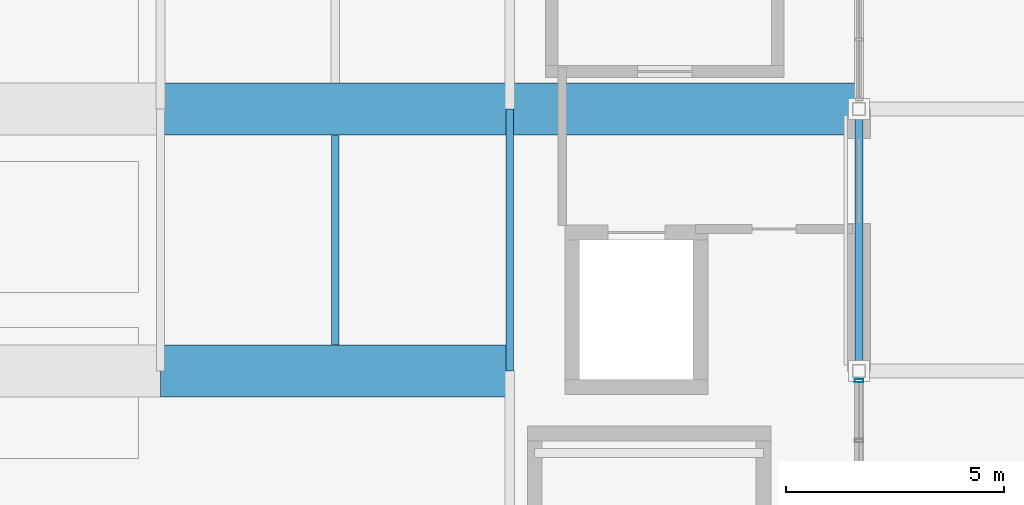
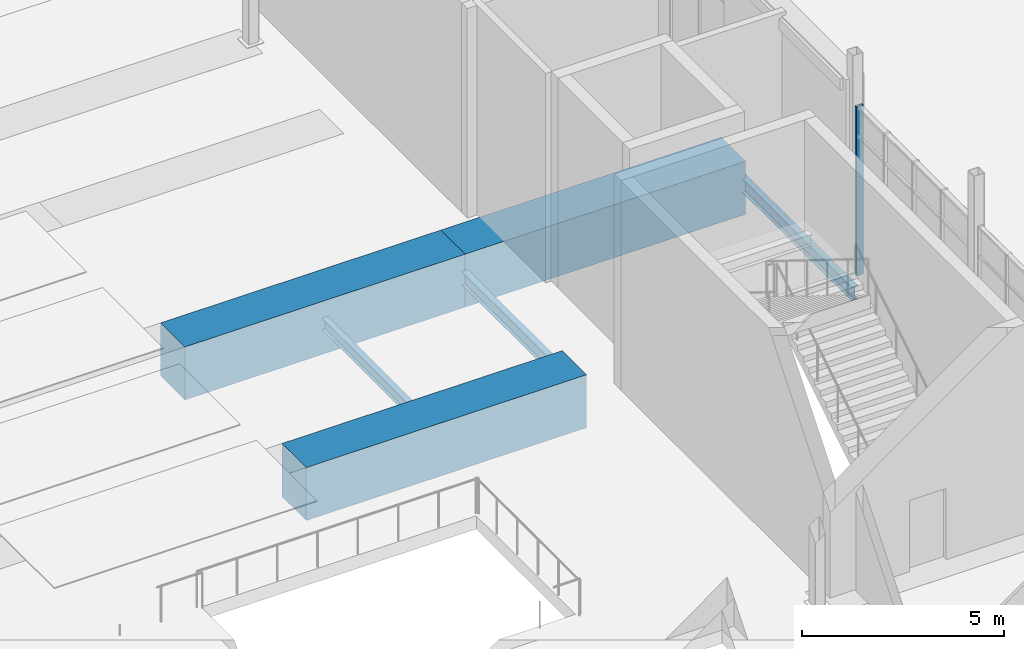
# One storey, part 41 of 140: 6 beams, 1 member, 1 element without a shape of its own.
"""IFC4 building model written with IfcOpenShell, lengths in metres."""

from ifc_helpers import new_model, si_unit, direction, frame, origin, origin_2d, place, context, subcontext, project, spatial, rectangle, hollow_rectangle, i_section, extrude, material, material_profile, profile_set, type_object, element, aggregate, save


model = new_model("IFC4")

# Units and contexts
model_context = context("Model", 3, precision=1e-05, world=origin(), true_north=direction((0.0, 1.0)))
body_context = subcontext(model_context, "Body", "Model", "MODEL_VIEW")
ifc_project = project(units=[si_unit("LENGTHUNIT", "METRE"), si_unit("AREAUNIT", "SQUARE_METRE"), si_unit("VOLUMEUNIT", "CUBIC_METRE"), si_unit("PLANEANGLEUNIT", "RADIAN"), si_unit("MASSUNIT", "GRAM", prefix="KILO")], contexts=[model_context])

# Site, building, storey
site_placement = place(None, origin())
site = spatial("IfcSite", under=ifc_project, at=site_placement, CompositionType="ELEMENT")
building_placement = place(site_placement, origin())
building = spatial("IfcBuilding", under=site, at=building_placement, Name="Verrall Gate Interchange", CompositionType="ELEMENT")
storey_placement = place(building_placement, origin())
storey = spatial("IfcBuildingStorey", under=building, at=storey_placement, Name="L01", CompositionType="ELEMENT", Elevation=0.0)

# Beams
ifc_material_1 = material(Name="Structural Steel CSA G40.21 350W", Category="steel")
ifc_material_profile_1 = material_profile(ifc_material_1, i_section(OverallWidth=0.178955078125, OverallDepth=0.409912109375, WebThickness=0.0087890625, FlangeThickness=0.014404296875, FilletRadius=0.011962890625, at=origin_2d()), Name="W410x67")
ifc_profile_set_1 = profile_set([ifc_material_profile_1], Name="Structural Steel CSA G40.21 350W")
beam_type_1 = type_object("IfcBeamType", Name="B-12 Structural Beam W410x67", PredefinedType="BEAM", material=ifc_profile_set_1)
for number, where, z_axis, x_axis, name in (
    (1, (100.0, 28.0, -0.705078125), (0.0, 1.0, 0.0), (-1.0, 0.0, 0.0), "L01 Girder BM-L01-1163 (B-12)"),
    (2, (108.0, 28.0, -0.705078125), (0.0, 1.0, 0.0), (-1.0, 0.0, 0.0), "L01 Girder BM-L01-1174 (B-12)"),
):
    element("IfcBeam", number, at=place(storey_placement, frame(where, z_axis=z_axis, x_axis=x_axis)), inside=storey, type_object=beam_type_1, Name=name, PredefinedType="BEAM", context=body_context, shape_type="SweptSolid", body=[
        extrude(i_section(OverallWidth=0.178955078125, OverallDepth=0.409912109375, WebThickness=0.0087890625, FlangeThickness=0.014404296875, FilletRadius=0.011962890625, at=origin_2d()), origin(), (0.0, 0.0, 1.0), 6.0),
    ])

# Curtain wall, member
ifc_material_2 = material(Name="Thermally Broken Anodized Aluminium Curtain Wall Framing", Category="aluminium")
curtain_wall_type = type_object("IfcCurtainWallType", Name="CW-04 Unitized Curtain Wall 5631x5100", PredefinedType="NOTDEFINED", material=ifc_material_2)
curtain_wall_placement = place(storey_placement, origin())
curtain_wall = element("IfcCurtainWall", 3, at=curtain_wall_placement, inside=storey, type_object=curtain_wall_type, Name="L01 Unitized Curtain Wall CW-L01-005", PredefinedType="NOTDEFINED")
ifc_material_3 = material(Name="Thermally Broken Anodized Aluminium Curtain Wall Framing", Category="aluminium")
ifc_material_profile_2 = material_profile(ifc_material_3, hollow_rectangle(XDim=0.074951171875, YDim=0.199951171875, WallThickness=0.0048828125, InnerFilletRadius=0.0048828125, OuterFilletRadius=0.010009765625, at=origin_2d()), Name="CWM200x75x5")
ifc_profile_set_2 = profile_set([ifc_material_profile_2], Name="Thermally Broken Anodized Aluminium Curtain Wall Framing")
member_type = type_object("IfcMemberType", Name="CM-02 Curtain Mullion CWM200x75x5", PredefinedType="MULLION", material=ifc_profile_set_2)
member_placement = place(storey_placement, frame((108.0, 27.778076171875, 0.0), z_axis=(0.0, 0.0, 1.0), x_axis=(0.0, 1.0, 0.0)))
member = element("IfcMember", 4, at=member_placement, type_object=member_type, Name="CW-L01-005 Mullion 5", PredefinedType="MULLION", context=body_context, shape_type="SweptSolid", body=[
    extrude(hollow_rectangle(XDim=0.074951171875, YDim=0.199951171875, WallThickness=0.0048828125, InnerFilletRadius=0.0048828125, OuterFilletRadius=0.010009765625, at=origin_2d()), origin(), (0.0, 0.0, 1.0), 5.10009765625),
])
aggregate(curtain_wall, [member])

# Beams
ifc_material_4 = material(Name="Structural Steel CSA G40.21 350W", Category="steel")
ifc_material_profile_3 = material_profile(ifc_material_4, i_section(OverallWidth=0.172119140625, OverallDepth=0.35791015625, WebThickness=0.0078125, FlangeThickness=0.01318359375, FilletRadius=0.010986328125, at=origin_2d()), Name="W360x57")
ifc_profile_set_3 = profile_set([ifc_material_profile_3], Name="Structural Steel CSA G40.21 350W")
beam_type_2 = type_object("IfcBeamType", Name="J-01 Floor Joist W360x57", PredefinedType="JOIST", material=ifc_profile_set_3)
beam_placement = place(storey_placement, frame((96.0, 28.60009765625, -0.678955078125), z_axis=(0.0, 1.0, 0.0), x_axis=(-1.0, 0.0, 0.0)))
element("IfcBeam", 5, at=beam_placement, inside=storey, type_object=beam_type_2, Name="L01 Secondary Floor Joist JST-L01-1337", PredefinedType="JOIST", context=body_context, shape_type="SweptSolid", body=[
    extrude(i_section(OverallWidth=0.172119140625, OverallDepth=0.35791015625, WebThickness=0.0078125, FlangeThickness=0.01318359375, FilletRadius=0.010986328125, at=origin_2d()), origin(), (0.0, 0.0, 1.0), 4.7998046875),
])
ifc_material_5 = material(Name="Concrete CSA A23.1 40 MPa (Class N)", Category="concrete")
ifc_material_profile_4 = material_profile(ifc_material_5, rectangle(XDim=1.199951171875, YDim=1.60009765625, at=origin_2d()), Name="RC1200x1600")
ifc_profile_set_4 = profile_set([ifc_material_profile_4], Name="Concrete CSA A23.1 40 MPa (Class N)")
beam_type_3 = type_object("IfcBeamType", Name="TG-01 Transfer Girder RC1200x1600", PredefinedType="USERDEFINED", material=ifc_profile_set_4)
for number, where, z_axis, x_axis, name in (
    (6, (92.0, 28.0, -0.800048828125), (1.0, 0.0, 0.0), (0.0, 1.0, 0.0), "L01 Girder BM-L01-0838 (TG-01)"),
    (7, (92.0, 34.0, -0.800048828125), (1.0, 0.0, 0.0), (0.0, 1.0, 0.0), "L01 Girder BM-L01-0858 (TG-01)"),
    (8, (100.0, 34.0, -0.800048828125), (1.0, 0.0, 0.0), (0.0, 1.0, 0.0), "L01 Girder BM-L01-0859 (TG-01)"),
):
    element("IfcBeam", number, at=place(storey_placement, frame(where, z_axis=z_axis, x_axis=x_axis)), inside=storey, type_object=beam_type_3, Name=name, ObjectType="TRANSFER_GIRDER", PredefinedType="USERDEFINED", context=body_context, shape_type="SweptSolid", body=[
        extrude(rectangle(XDim=1.199951171875, YDim=1.60009765625, at=origin_2d()), origin(), (0.0, 0.0, 1.0), 8.0),
    ])

save(model, "model.ifc")
